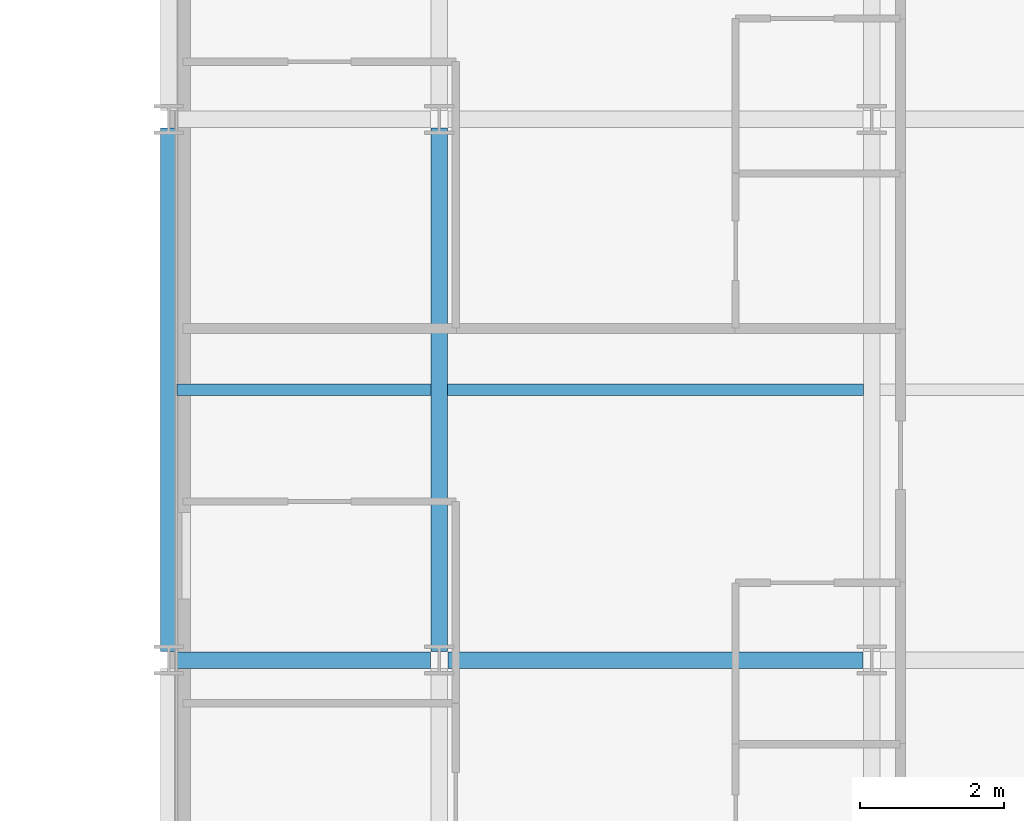
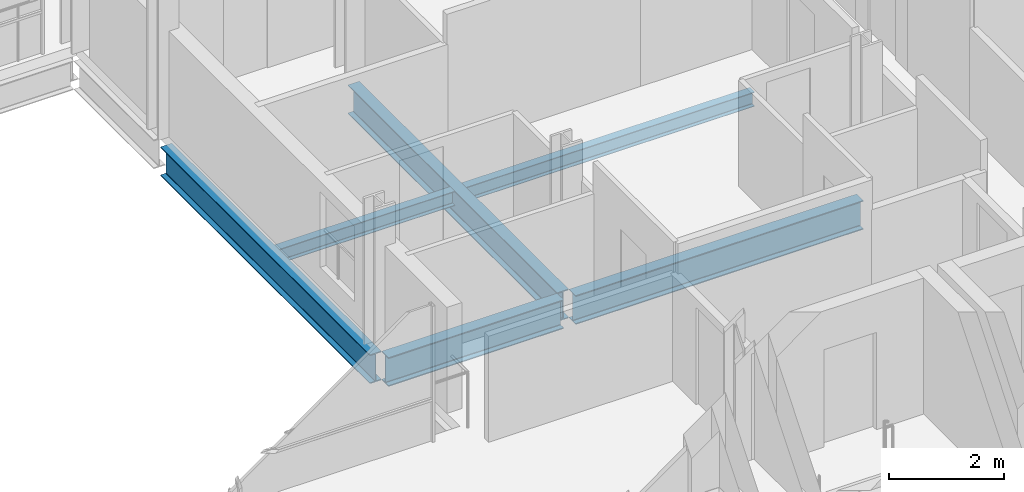
# One storey, part 16 of 40: 6 beams.
"""IFC4 building model written with IfcOpenShell, lengths in metres."""

import ifcopenshell
import ifcopenshell.guid

model = None  # the IFC model being written
_history = None  # IfcOwnerHistory: only IFC2X3 demands one
_inside = {}  # id of a spatial element -> (the spatial element, [elements in it])
_under = {}  # id of a project, library or spatial element -> (it, [spatial elements below it])
_declared = {}  # id of a project -> (the project, [libraries it declares])
_typed = {}  # id of a type object -> (the type object, [elements of that type])
_made_of = {}  # id of a material, layer set ... -> (it, [elements and type objects made of it])


def new_model(schema):
    """Start an empty IFC model of exactly this schema.

    Asked for "IFC4X3", IfcOpenShell would pick the latest addendum, in which some entities
    have other attributes; the version numbers below select the first issue.
    IFC2X3 requires an IfcOwnerHistory on every rooted entity: one is made here for all.
    """
    global model, _history
    if schema == "IFC4X3":
        model = ifcopenshell.file(schema_version=(4, 3, 0, 0))
    else:
        model = ifcopenshell.file(schema=schema)
    _inside.clear()
    _under.clear()
    _declared.clear()
    _typed.clear()
    _made_of.clear()
    _history = None
    if model.schema == "IFC2X3":
        org = make("IfcOrganization", Name="unknown")
        user = make(
            "IfcPersonAndOrganization",
            ThePerson=make("IfcPerson", FamilyName="unknown"),
            TheOrganization=org,
        )
        app = make(
            "IfcApplication",
            ApplicationDeveloper=org,
            Version="unknown",
            ApplicationFullName="unknown",
            ApplicationIdentifier="unknown",
        )
        _history = make(
            "IfcOwnerHistory",
            OwningUser=user,
            OwningApplication=app,
            ChangeAction="ADDED",
            CreationDate=0,
        )
    return model


def make(cls, **values):
    """One entity of the class cls with the attributes given. An attribute that is None is left unset."""
    return model.create_entity(
        cls, **{name: value for name, value in values.items() if value is not None}
    )


def rooted(cls, **values):
    """An entity with a GlobalId (a new one), such as an element, a storey or a relation."""
    return make(cls, GlobalId=ifcopenshell.guid.new(), OwnerHistory=_history, **values)


def si_unit(unit_type, name, prefix=None):
    """IfcSIUnit, for example si_unit("LENGTHUNIT", "METRE", prefix="MILLI")."""
    return make("IfcSIUnit", UnitType=unit_type, Prefix=prefix, Name=name)


def assignment(units):
    """IfcUnitAssignment: the units of a project."""
    return None if units is None else make("IfcUnitAssignment", Units=units)


def point(xyz):
    """IfcCartesianPoint."""
    return None if xyz is None else make("IfcCartesianPoint", Coordinates=xyz)


def direction(xyz):
    """IfcDirection."""
    return None if xyz is None else make("IfcDirection", DirectionRatios=xyz)


def frame(location, z_axis=None, x_axis=None):
    """IfcAxis2Placement3D, a coordinate frame: its origin and axes. An axis left out is left unset."""
    return make(
        "IfcAxis2Placement3D",
        Location=point(location),
        Axis=direction(z_axis),
        RefDirection=direction(x_axis),
    )


def frame_2d(location, x_axis=None):
    """IfcAxis2Placement2D, a coordinate frame in the plane: its origin and x axis."""
    return make(
        "IfcAxis2Placement2D", Location=point(location), RefDirection=direction(x_axis)
    )


def origin():
    """The frame at (0, 0, 0) with its axes left unset."""
    return frame((0.0, 0.0, 0.0))


def origin_2d():
    """The frame at (0, 0) in the plane with its x axis left unset."""
    return frame_2d((0.0, 0.0))


def place(relative_to, where):
    """IfcLocalPlacement: puts the frame where relative to a parent placement (None: the world)."""
    return make(
        "IfcLocalPlacement", PlacementRelTo=relative_to, RelativePlacement=where
    )


def context(
    kind, dimensions, precision=None, world=None, true_north=None, identifier=None
):
    """IfcGeometricRepresentationContext, for example the 3D "Model" context."""
    return make(
        "IfcGeometricRepresentationContext",
        ContextIdentifier=identifier,
        ContextType=kind,
        CoordinateSpaceDimension=dimensions,
        Precision=precision,
        WorldCoordinateSystem=world,
        TrueNorth=true_north,
    )


def subcontext(parent, identifier, kind, view, scale=None):
    """IfcGeometricRepresentationSubContext, for example "Body" below "Model"."""
    return make(
        "IfcGeometricRepresentationSubContext",
        ContextIdentifier=identifier,
        ContextType=kind,
        ParentContext=parent,
        TargetScale=scale,
        TargetView=view,
    )


def project(units=None, contexts=None):
    """IfcProject with its units and contexts."""
    return rooted(
        "IfcProject",
        Name="project",
        RepresentationContexts=contexts,
        UnitsInContext=assignment(units),
    )


def spatial(cls, under=None, at=None, **own):
    """A site, building, storey or space (cls), placed at a placement, below another one or the project."""
    s = rooted(cls, ObjectPlacement=at, **own)
    if under is not None:
        _under.setdefault(under.id(), (under, []))[1].append(s)
    return s


def profile(cls, at=None, kind="AREA", **sizes):
    """A parametric profile (cls). Its sizes go by their IFC names, for example OverallWidth=200.0."""
    return make(cls, ProfileType=kind, Position=at, **sizes)


def i_section(**sizes):
    """IfcIShapeProfileDef."""
    return profile("IfcIShapeProfileDef", **sizes)


def extrude(swept, where, along, depth):
    """IfcExtrudedAreaSolid: the profile swept, set in the frame where, extruded along a direction by depth."""
    return make(
        "IfcExtrudedAreaSolid",
        SweptArea=swept,
        Position=where,
        ExtrudedDirection=direction(along),
        Depth=depth,
    )


def shape(context_of_items, identifier, shape_type, items):
    """IfcShapeRepresentation: the items that make up one representation, for example the "Body"."""
    return make(
        "IfcShapeRepresentation",
        ContextOfItems=context_of_items,
        RepresentationIdentifier=identifier,
        RepresentationType=shape_type,
        Items=items,
    )


def material(Name=None, Category=None):
    """IfcMaterial."""
    return make("IfcMaterial", Name=Name, Category=Category)


def material_profile(
    of_material, cross_section, Name=None, Category=None, Priority=None
):
    """IfcMaterialProfile: a cross section and its material."""
    return make(
        "IfcMaterialProfile",
        Name=Name,
        Material=of_material,
        Profile=cross_section,
        Priority=Priority,
        Category=Category,
    )


def profile_set(profiles, Name=None, composite=None):
    """IfcMaterialProfileSet."""
    return make(
        "IfcMaterialProfileSet",
        Name=Name,
        MaterialProfiles=profiles,
        CompositeProfile=composite,
    )


def made_of(thing, what):
    """Note that an element or type object is made of a material, layer set ...; save() writes the relation."""
    if what is not None:
        _made_of.setdefault(what.id(), (what, []))[1].append(thing)
    return thing


def type_object(cls, material=None, **own):
    """A type object (cls), such as IfcWallType, which elements share."""
    return made_of(rooted(cls, **own), material)


def element(
    cls,
    number,
    at=None,
    inside=None,
    cuts=None,
    type_object=None,
    material=None,
    context=None,
    identifier="Body",
    shape_type=None,
    held_by="IfcProductDefinitionShape",
    body=None,
    shapes=None,
    **own,
):
    """One element of the class cls, such as IfcWall. Its Tag is "e" and its number.

    at: its placement. inside: the storey or other place that contains it. cuts: it is an
    opening in that element (IfcRelVoidsElement). A single representation is given by context,
    identifier, shape_type and body (its items); several are given by shapes. held_by: the class
    of the entity that holds the representations. save() writes the other relations.
    """
    e = rooted(cls, Tag="e%d" % number, ObjectPlacement=at, **own)
    if body is not None:
        shapes = [shape(context, identifier, shape_type, body)]
    if shapes is not None:
        e.Representation = make(held_by, Representations=shapes)
    if inside is not None:
        _inside.setdefault(inside.id(), (inside, []))[1].append(e)
    if cuts is not None:
        rooted(
            "IfcRelVoidsElement", RelatingBuildingElement=cuts, RelatedOpeningElement=e
        )
    if type_object is not None:
        _typed.setdefault(type_object.id(), (type_object, []))[1].append(e)
    return made_of(e, material)


def aggregate(whole, parts):
    """IfcRelAggregates: a whole, such as a stair, and the parts it consists of."""
    return rooted("IfcRelAggregates", RelatingObject=whole, RelatedObjects=parts)


def save(model, path):
    """Write the relations noted so far, then the file.

    IfcRelAggregates (storeys below a building ...), IfcRelContainedInSpatialStructure (elements
    in a storey), IfcRelDefinesByType, IfcRelAssociatesMaterial and IfcRelDeclares: one each for
    every whole, place, type object, material and project.
    """
    for whole, parts in _under.values():
        aggregate(whole, parts)
    for where, things in _inside.values():
        rooted(
            "IfcRelContainedInSpatialStructure",
            RelatedElements=things,
            RelatingStructure=where,
        )
    for kind, things in _typed.values():
        rooted("IfcRelDefinesByType", RelatedObjects=things, RelatingType=kind)
    for what, things in _made_of.values():
        rooted("IfcRelAssociatesMaterial", RelatedObjects=things, RelatingMaterial=what)
    for by, libraries in _declared.values():
        rooted("IfcRelDeclares", RelatingContext=by, RelatedDefinitions=libraries)
    model.write(path)


model = new_model("IFC4")

# Units and contexts
model_context = context("Model", 3, precision=1e-05, world=origin(), true_north=direction((0.0, 1.0)))
body_context = subcontext(model_context, "Body", "Model", "MODEL_VIEW")
ifc_project = project(units=[si_unit("LENGTHUNIT", "METRE"), si_unit("AREAUNIT", "SQUARE_METRE"), si_unit("VOLUMEUNIT", "CUBIC_METRE"), si_unit("PLANEANGLEUNIT", "RADIAN"), si_unit("MASSUNIT", "GRAM", prefix="KILO")], contexts=[model_context])

# Site, building, storey
site_placement = place(None, origin())
site = spatial("IfcSite", under=ifc_project, at=site_placement, CompositionType="ELEMENT")
building_placement = place(site_placement, origin())
building = spatial("IfcBuilding", under=site, at=building_placement, Name="Brevholm Reach", CompositionType="ELEMENT")
storey_placement = place(building_placement, frame((0.0, 0.0, 125.199951171875)))
storey = spatial("IfcBuildingStorey", under=building, at=storey_placement, Name="L37", CompositionType="ELEMENT", Elevation=125.199951171875)

# Beams
ifc_material_1 = material(Name="Structural Steel S355J2", Category="steel")
ifc_material_profile_1 = material_profile(ifc_material_1, i_section(OverallWidth=0.1650390625, OverallDepth=0.303466796875, WebThickness=0.006103515625, FlangeThickness=0.01025390625, FilletRadius=0.0087890625, at=origin_2d()), Name="UKB 305x165x40")
ifc_profile_set_1 = profile_set([ifc_material_profile_1], Name="Structural Steel S355J2")
beam_type_1 = type_object("IfcBeamType", Name="BM-B305", PredefinedType="BEAM", material=ifc_profile_set_1)
beam_1_placement = place(storey_placement, frame((38.364501953125, 19.75, -0.37158203125), z_axis=(1.0, 0.0, 0.0), x_axis=(0.0, 1.0, 0.0)))
element("IfcBeam", 1, at=beam_1_placement, inside=storey, type_object=beam_type_1, Name="L37 Composite Secondary Floor Beam", PredefinedType="BEAM", context=body_context, shape_type="SweptSolid", body=[
    extrude(i_section(OverallWidth=0.1650390625, OverallDepth=0.303466796875, WebThickness=0.006103515625, FlangeThickness=0.01025390625, FilletRadius=0.0087890625, at=origin_2d()), origin(), (0.0, 0.0, 1.0), 3.52099609375),
])
beam_2_placement = place(storey_placement, frame((42.114501953125, 19.75, -0.37158203125), z_axis=(1.0, 0.0, 0.0), x_axis=(0.0, 1.0, 0.0)))
element("IfcBeam", 2, at=beam_2_placement, inside=storey, type_object=beam_type_1, Name="L37 Composite Secondary Floor Beam", PredefinedType="BEAM", context=body_context, shape_type="SweptSolid", body=[
    extrude(i_section(OverallWidth=0.1650390625, OverallDepth=0.303466796875, WebThickness=0.006103515625, FlangeThickness=0.01025390625, FilletRadius=0.0087890625, at=origin_2d()), origin(), (0.0, 0.0, 1.0), 5.77099609375),
])
ifc_material_2 = material(Name="Structural Steel S355J2", Category="steel")
ifc_material_profile_2 = material_profile(ifc_material_2, i_section(OverallWidth=0.22900390625, OverallDepth=0.6123046875, WebThickness=0.011962890625, FlangeThickness=0.01953125, FilletRadius=0.0126953125, at=origin_2d()), Name="UKB 610x229x125")
ifc_profile_set_2 = profile_set([ifc_material_profile_2], Name="Structural Steel S355J2")
beam_type_2 = type_object("IfcBeamType", Name="BM-SP610", PredefinedType="SPANDREL", material=ifc_profile_set_2)
beam_3_placement = place(storey_placement, frame((38.3701171875, 16.0, -0.526123046875), z_axis=(1.0, 0.0, 0.0), x_axis=(0.0, 1.0, 0.0)))
element("IfcBeam", 3, at=beam_3_placement, inside=storey, type_object=beam_type_2, Name="L37 SP-01 Framing Beam", PredefinedType="SPANDREL", context=body_context, shape_type="SweptSolid", body=[
    extrude(i_section(OverallWidth=0.22900390625, OverallDepth=0.6123046875, WebThickness=0.011962890625, FlangeThickness=0.01953125, FilletRadius=0.0126953125, at=origin_2d()), origin(), (0.0, 0.0, 1.0), 3.509765625),
])
beam_4_placement = place(storey_placement, frame((42.1201171875, 16.0, -0.526123046875), z_axis=(1.0, 0.0, 0.0), x_axis=(0.0, 1.0, 0.0)))
element("IfcBeam", 4, at=beam_4_placement, inside=storey, type_object=beam_type_2, Name="L37 SP-01 Framing Beam", PredefinedType="SPANDREL", context=body_context, shape_type="SweptSolid", body=[
    extrude(i_section(OverallWidth=0.22900390625, OverallDepth=0.6123046875, WebThickness=0.011962890625, FlangeThickness=0.01953125, FilletRadius=0.0126953125, at=origin_2d()), origin(), (0.0, 0.0, 1.0), 5.759765625),
])
for number, where, z_axis, x_axis, name in (
    (5, (38.25, 16.1201171875, -0.526123046875), (0.0, 1.0, 0.0), (-1.0, 0.0, 0.0), "L37 SP-01 Framing Beam"),
    (6, (42.0, 16.1201171875, -0.526123046875), (0.0, 1.0, 0.0), (-1.0, 0.0, 0.0), "L37 SP-01 Framing Beam"),
):
    element("IfcBeam", number, at=place(storey_placement, frame(where, z_axis=z_axis, x_axis=x_axis)), inside=storey, type_object=beam_type_2, Name=name, PredefinedType="SPANDREL", context=body_context, shape_type="SweptSolid", body=[
        extrude(i_section(OverallWidth=0.22900390625, OverallDepth=0.6123046875, WebThickness=0.011962890625, FlangeThickness=0.01953125, FilletRadius=0.0126953125, at=origin_2d()), origin(), (0.0, 0.0, 1.0), 7.259765625),
    ])

save(model, "model.ifc")
